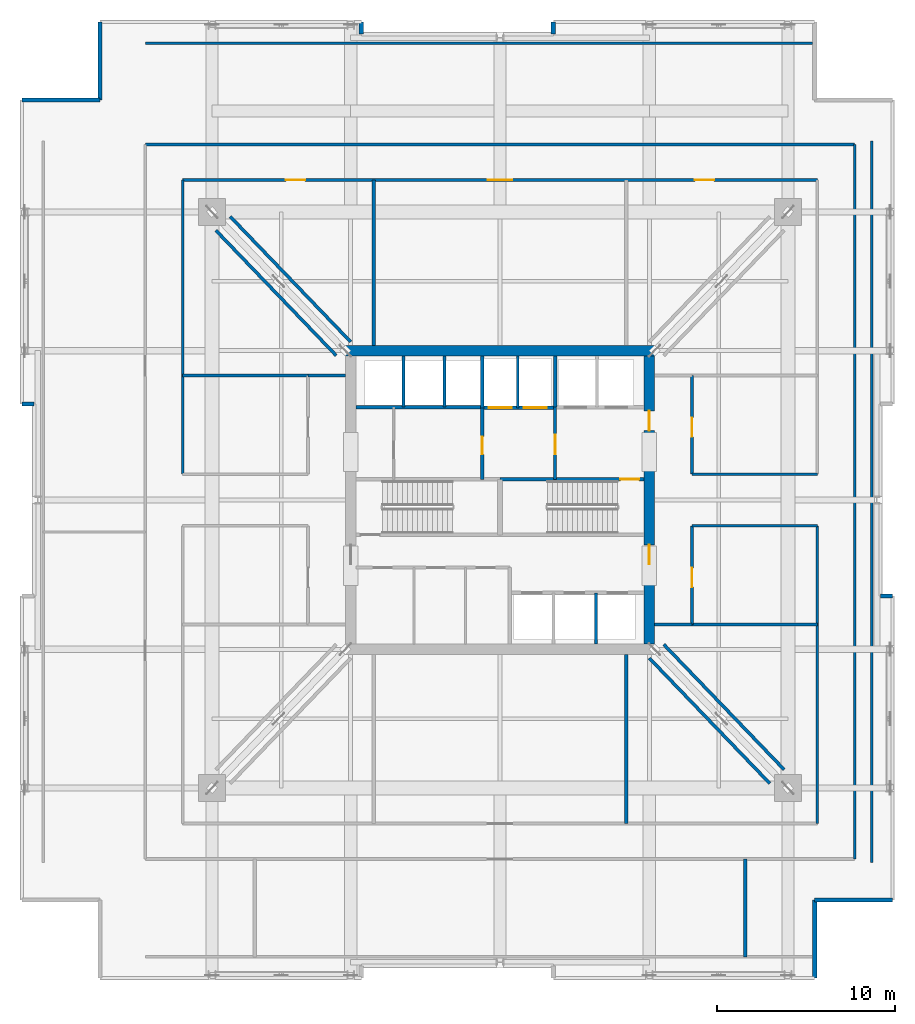
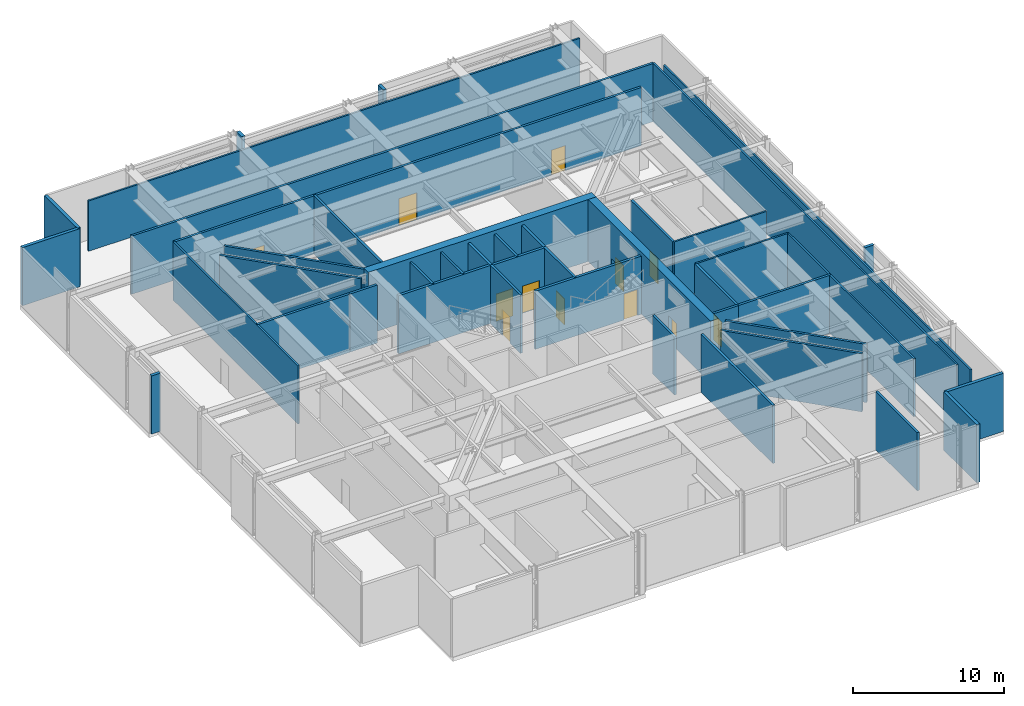
# One storey, part 8 of 13: 43 walls, 12 doors, 12 openings.
"""IFC4 building model written with IfcOpenShell, lengths in metres."""

from ifc_helpers import new_model, si_unit, direction, frame, frame_2d, origin, place, context, subcontext, project, spatial, rectangle, extrude, material, layer, layer_set, type_object, element, fill, save


model = new_model("IFC4")

# Units and contexts
model_context = context("Model", 3, precision=1e-05, world=origin(), true_north=direction((0.0, 1.0)))
body_context = subcontext(model_context, "Body", "Model", "MODEL_VIEW")
ifc_project = project(units=[si_unit("LENGTHUNIT", "METRE"), si_unit("AREAUNIT", "SQUARE_METRE"), si_unit("VOLUMEUNIT", "CUBIC_METRE"), si_unit("PLANEANGLEUNIT", "RADIAN"), si_unit("MASSUNIT", "GRAM", prefix="KILO")], contexts=[model_context])

# Site, building, storey
site_placement = place(None, origin())
site = spatial("IfcSite", under=ifc_project, at=site_placement, CompositionType="ELEMENT")
building_placement = place(site_placement, origin())
building = spatial("IfcBuilding", under=site, at=building_placement, Name="Drelvath Grand Hotel", CompositionType="ELEMENT")
storey_placement = place(building_placement, frame((0.0, 0.0, 140.800048828125)))
storey = spatial("IfcBuildingStorey", under=building, at=storey_placement, Name="L36", CompositionType="ELEMENT", Elevation=140.800048828125)

# Wall
ifc_material_1 = material(Name="Concrete C40/50", Category="concrete")
ifc_layer_1 = layer(ifc_material_1, 0.199951171875)
ifc_layer_set_1 = layer_set([ifc_layer_1], Name="Concrete C40/50")
wall_type_1 = type_object("IfcWallType", Name="Core Hoistway Fire Wall 200", PredefinedType="SOLIDWALL", material=ifc_layer_set_1)
wall_1_placement = place(storey_placement, frame((3.10009765625, 32.219970703125, 0.0), z_axis=(0.0, 0.0, 1.0), x_axis=(0.0, 1.0, 0.0)))
element("IfcWall", 1, at=wall_1_placement, inside=storey, type_object=wall_type_1, Name="L36 FSAE Hoistway West Wall", PredefinedType="SOLIDWALL", context=body_context, shape_type="SweptSolid", body=[
    extrude(rectangle(XDim=2.880126953125, YDim=0.199951171875, at=frame_2d((1.43994140625, 0.0))), origin(), (0.0, 0.0, 1.0), 4.699951171875),
])

# Wall, openings, doors
wall_2_placement = place(storey_placement, frame((-1.0, 32.179931640625, 0.0), z_axis=(0.0, 0.0, 1.0), x_axis=(1.0, 0.0, 0.0)))
wall_2 = element("IfcWall", 2, at=wall_2_placement, inside=storey, type_object=wall_type_1, Name="L36 Service Lift Hoistway Wall", PredefinedType="SOLIDWALL", context=body_context, shape_type="SweptSolid", body=[
    extrude(rectangle(XDim=4.10009765625, YDim=0.199951171875, at=frame_2d((2.050048828125, 0.0))), origin(), (0.0, 0.0, 1.0), 4.699951171875),
])
opening_1_placement = place(wall_2_placement, frame((0.3701171875, 0.0, 0.0)))
opening_1 = element("IfcOpeningElement", 3, at=opening_1_placement, cuts=wall_2, Name="Opening LD-SV-2", PredefinedType="OPENING", context=body_context, shape_type="SweptSolid", body=[
    extrude(rectangle(XDim=1.300048828125, YDim=2.199951171875, at=frame_2d((0.64990234375, 1.10009765625))), frame((0.0, 0.10986328125, 0.0), z_axis=(0.0, -1.0, 0.0), x_axis=(1.0, 0.0, 0.0)), (0.0, 0.0, 1.0), 0.219970703125),
])
opening_2_placement = place(wall_2_placement, frame((2.330078125, 0.0, 0.0)))
opening_2 = element("IfcOpeningElement", 4, at=opening_2_placement, cuts=wall_2, Name="Opening LD-SV-1", PredefinedType="OPENING", context=body_context, shape_type="SweptSolid", body=[
    extrude(rectangle(XDim=1.300048828125, YDim=2.199951171875, at=frame_2d((0.64990234375, 1.10009765625))), frame((0.0, 0.10986328125, 0.0), z_axis=(0.0, -1.0, 0.0), x_axis=(1.0, 0.0, 0.0)), (0.0, 0.0, 1.0), 0.219970703125),
])
ifc_material_2 = material(Name="Stainless Steel S355", Category="steel")
door_type_1 = type_object("IfcDoorType", Name="Service Lift Sliding Landing Door 1300x2200", OperationType="NOTDEFINED", PredefinedType="DOOR", material=ifc_material_2)
door_1_placement = place(opening_1_placement, origin())
door_1 = element("IfcDoor", 5, at=door_1_placement, inside=storey, type_object=door_type_1, Name="L36 Lift SV-2 Landing Door", OperationType="SLIDING_TO_LEFT", OverallHeight=2.199951171875, OverallWidth=1.300048828125, PredefinedType="DOOR", context=body_context, shape_type="SweptSolid", body=[
    extrude(rectangle(XDim=1.300048828125, YDim=2.199951171875, at=frame_2d((0.64990234375, 1.10009765625))), frame((0.0, 0.02490234375, 0.0), z_axis=(0.0, -1.0, 0.0), x_axis=(1.0, 0.0, 0.0)), (0.0, 0.0, 1.0), 0.050048828125),
])
fill(opening_1, door_1)
door_2_placement = place(opening_2_placement, origin())
door_2 = element("IfcDoor", 6, at=door_2_placement, inside=storey, type_object=door_type_1, Name="L36 Lift SV-1 Landing Door", OperationType="SLIDING_TO_LEFT", OverallHeight=2.199951171875, OverallWidth=1.300048828125, PredefinedType="DOOR", context=body_context, shape_type="SweptSolid", body=[
    extrude(rectangle(XDim=1.300048828125, YDim=2.199951171875, at=frame_2d((0.64990234375, 1.10009765625))), frame((0.0, 0.02490234375, 0.0), z_axis=(0.0, -1.0, 0.0), x_axis=(1.0, 0.0, 0.0)), (0.0, 0.0, 1.0), 0.050048828125),
])
fill(opening_2, door_2)

# Walls
wall_3_placement = place(storey_placement, frame((-1.0, 32.179931640625, 0.0), z_axis=(0.0, 0.0, 1.0), x_axis=(0.0, 1.0, 0.0)))
element("IfcWall", 7, at=wall_3_placement, inside=storey, type_object=wall_type_1, Name="L36 Service Lift West Wall", PredefinedType="SOLIDWALL", context=body_context, shape_type="SweptSolid", body=[
    extrude(rectangle(XDim=2.920166015625, YDim=0.199951171875, at=frame_2d((1.4599609375, 0.0))), origin(), (0.0, 0.0, 1.0), 4.699951171875),
])
wall_4_placement = place(storey_placement, frame((-8.10009765625, 32.219970703125, 0.0), z_axis=(0.0, 0.0, 1.0), x_axis=(1.0, 0.0, 0.0)))
element("IfcWall", 8, at=wall_4_placement, inside=storey, type_object=wall_type_1, Name="L36 Bank 3 Hoistway Wall", PredefinedType="SOLIDWALL", context=body_context, shape_type="SweptSolid", body=[
    extrude(rectangle(XDim=7.10009765625, YDim=0.199951171875, at=frame_2d((3.550048828125, 0.0))), origin(), (0.0, 0.0, 1.0), 4.699951171875),
])

# Wall, opening, door
ifc_layer_2 = layer(ifc_material_1, 0.199951171875)
ifc_layer_set_2 = layer_set([ifc_layer_2], Name="Concrete C40/50")
wall_type_2 = type_object("IfcWallType", Name="Core Shaft Fire Wall 200", PredefinedType="SOLIDWALL", material=ifc_layer_set_2)
wall_5_placement = place(storey_placement, frame((8.10009765625, 28.159912109375, 0.0), z_axis=(0.0, 0.0, 1.0), x_axis=(-1.0, 0.0, 0.0)))
wall_5 = element("IfcWall", 9, at=wall_5_placement, inside=storey, type_object=wall_type_2, Name="L36 Stair ST-2 North Wall", PredefinedType="SOLIDWALL", context=body_context, shape_type="SweptSolid", body=[
    extrude(rectangle(XDim=8.10009765625, YDim=0.199951171875, at=frame_2d((4.050048828125, 0.0))), origin(), (0.0, 0.0, 1.0), 4.699951171875),
])
opening_3_placement = place(wall_5_placement, frame((0.280029296875, 0.0, 0.0)))
opening_3 = element("IfcOpeningElement", 10, at=opening_3_placement, cuts=wall_5, Name="Opening D-L36-002", PredefinedType="OPENING", context=body_context, shape_type="SweptSolid", body=[
    extrude(rectangle(XDim=1.050048828125, YDim=2.10009765625, at=frame_2d((0.52490234375, 1.050048828125))), frame((0.0, 0.10986328125, 0.0), z_axis=(0.0, -1.0, 0.0), x_axis=(1.0, 0.0, 0.0)), (0.0, 0.0, 1.0), 0.219970703125),
])
ifc_material_3 = material(Name="Painted Steel S275", Category="steel")
door_type_2 = type_object("IfcDoorType", Name="Tower Stairwell Fire Door 1050x2100", OperationType="NOTDEFINED", PredefinedType="DOOR", material=ifc_material_3)
door_3_placement = place(opening_3_placement, origin())
door_3 = element("IfcDoor", 11, at=door_3_placement, inside=storey, type_object=door_type_2, Name="L36 Exit Stair ST-2 Door", OperationType="SINGLE_SWING_LEFT", OverallHeight=2.10009765625, OverallWidth=1.050048828125, PredefinedType="DOOR", context=body_context, shape_type="SweptSolid", body=[
    extrude(rectangle(XDim=1.050048828125, YDim=2.10009765625, at=frame_2d((0.52490234375, 1.050048828125))), frame((0.0, 0.02490234375, 0.0), z_axis=(0.0, -1.0, 0.0), x_axis=(1.0, 0.0, 0.0)), (0.0, 0.0, 1.0), 0.050048828125),
])
fill(opening_3, door_3)

# Walls
ifc_material_4 = material(Name="Gypsum Fireboard Partition")
ifc_layer_3 = layer(ifc_material_4, 0.1650390625)
ifc_layer_set_3 = layer_set([ifc_layer_3], Name="Gypsum Fireboard Partition")
wall_type_3 = type_object("IfcWallType", Name="Core Shaft Partition 165", PredefinedType="PARTITIONING", material=ifc_layer_set_3)
wall_6_placement = place(storey_placement, frame((1.0, 32.179931640625, 0.0), z_axis=(0.0, 0.0, 1.0), x_axis=(0.0, 1.0, 0.0)))
element("IfcWall", 12, at=wall_6_placement, inside=storey, type_object=wall_type_3, Name="L36 Service Lift Divider", PredefinedType="PARTITIONING", context=body_context, shape_type="SweptSolid", body=[
    extrude(rectangle(XDim=2.920166015625, YDim=0.1650390625, at=frame_2d((1.4599609375, 0.0))), origin(), (0.0, 0.0, 1.0), 4.699951171875),
])
for number, where, z_axis, x_axis, name in (
    (13, (-5.43994140625, 32.219970703125, 0.0), (0.0, 0.0, 1.0), (0.0, 1.0, 0.0), "L36 Lift PE-7/8 Divider"),
    (14, (-3.1201171875, 32.219970703125, 0.0), (0.0, 0.0, 1.0), (0.0, 1.0, 0.0), "L36 Lift PE-8/9 Divider"),
    (15, (5.39990234375, 18.89990234375, 0.0), (0.0, 0.0, 1.0), (0.0, 1.0, 0.0), "L36 Lift PE-5/6 Divider"),
):
    element("IfcWall", number, at=place(storey_placement, frame(where, z_axis=z_axis, x_axis=x_axis)), inside=storey, type_object=wall_type_3, Name=name, PredefinedType="PARTITIONING", context=body_context, shape_type="SweptSolid", body=[
        extrude(rectangle(XDim=2.880126953125, YDim=0.1650390625, at=frame_2d((1.43994140625, 0.0))), origin(), (0.0, 0.0, 1.0), 4.699951171875),
    ])
ifc_layer_4 = layer(ifc_material_4, 0.135009765625)
ifc_layer_set_4 = layer_set([ifc_layer_4], Name="Gypsum Fireboard Partition")
wall_type_4 = type_object("IfcWallType", Name="Corridor Fire Barrier Wall 135", PredefinedType="PARTITIONING", material=ifc_layer_set_4)
wall_7_placement = place(storey_placement, frame((20.89990234375, 6.60009765625, 0.0), z_axis=(0.0, 0.0, 1.0), x_axis=(0.0, 1.0, 0.0)))
element("IfcWall", 16, at=wall_7_placement, inside=storey, type_object=wall_type_4, Name="L36 East Belt Plenum Wall", PredefinedType="PARTITIONING", context=body_context, shape_type="SweptSolid", body=[
    extrude(rectangle(XDim=40.599853515625, YDim=0.135009765625, at=frame_2d((20.2998046875, 0.0))), origin(), (0.0, 0.0, 1.0), 4.07373046875),
])
wall_8_placement = place(storey_placement, frame((-19.949951171875, 52.699951171875, 0.0), z_axis=(0.0, 0.0, 1.0), x_axis=(1.0, 0.0, 0.0)))
element("IfcWall", 17, at=wall_8_placement, inside=storey, type_object=wall_type_4, Name="L36 North Belt Plenum Wall", PredefinedType="PARTITIONING", context=body_context, shape_type="SweptSolid", body=[
    extrude(rectangle(XDim=37.530029296875, YDim=0.135009765625, at=frame_2d((18.76513671875, 0.0))), origin(), (0.0, 0.0, 1.0), 4.07373046875),
])
for number, where, z_axis, x_axis, name in (
    (18, (10.800048828125, 25.550048828125, 0.0), (0.0, 0.0, 1.0), (1.0, 0.0, 0.0), "L36 East Cross-Arm South Wall"),
    (19, (10.800048828125, 28.449951171875, 0.0), (0.0, 0.0, 1.0), (1.0, 0.0, 0.0), "L36 East Cross-Arm North Wall"),
):
    element("IfcWall", number, at=place(storey_placement, frame(where, z_axis=z_axis, x_axis=x_axis)), inside=storey, type_object=wall_type_4, Name=name, PredefinedType="PARTITIONING", context=body_context, shape_type="SweptSolid", body=[
        extrude(rectangle(XDim=7.050048828125, YDim=0.135009765625, at=frame_2d((3.52490234375, 0.0))), origin(), (0.0, 0.0, 1.0), 4.699951171875),
    ])
wall_9_placement = place(storey_placement, frame((-17.85009765625, 28.449951171875, 0.0), z_axis=(0.0, 0.0, 1.0), x_axis=(0.0, 1.0, 0.0)))
element("IfcWall", 20, at=wall_9_placement, inside=storey, type_object=wall_type_4, Name="L36 West Outer Leg Inner N", PredefinedType="PARTITIONING", context=body_context, shape_type="SweptSolid", body=[
    extrude(rectangle(XDim=16.550048828125, YDim=0.135009765625, at=frame_2d((8.27490234375, 0.0))), origin(), (0.0, 0.0, 1.0), 4.699951171875),
])
wall_10_placement = place(storey_placement, frame((19.949951171875, 6.800048828125, 0.0), z_axis=(0.0, 0.0, 1.0), x_axis=(0.0, 1.0, 0.0)))
element("IfcWall", 21, at=wall_10_placement, inside=storey, type_object=wall_type_4, Name="L36 East Outer Leg Outer Wall", PredefinedType="PARTITIONING", context=body_context, shape_type="SweptSolid", body=[
    extrude(rectangle(XDim=40.199951171875, YDim=0.135009765625, at=frame_2d((20.10009765625, 0.0))), origin(), (0.0, 0.0, 1.0), 4.699951171875),
])
wall_11_placement = place(storey_placement, frame((17.85009765625, 8.800048828125, 0.0), z_axis=(0.0, 0.0, 1.0), x_axis=(0.0, 1.0, 0.0)))
element("IfcWall", 22, at=wall_11_placement, inside=storey, type_object=wall_type_4, Name="L36 East Outer Leg Inner S", PredefinedType="PARTITIONING", context=body_context, shape_type="SweptSolid", body=[
    extrude(rectangle(XDim=16.75, YDim=0.135009765625, at=frame_2d((8.375, 0.0))), origin(), (0.0, 0.0, 1.0), 4.699951171875),
])

# Wall, opening, door
ifc_layer_5 = layer(ifc_material_4, 0.179931640625)
ifc_layer_set_5 = layer_set([ifc_layer_5], Name="Gypsum Fireboard Partition")
wall_type_5 = type_object("IfcWallType", Name="FSAE Smoke Lobby Fire Wall 180", PredefinedType="SOLIDWALL", material=ifc_layer_set_5)
wall_12_placement = place(storey_placement, frame((3.10009765625, 28.159912109375, 0.0), z_axis=(0.0, 0.0, 1.0), x_axis=(0.0, 1.0, 0.0)))
wall_12 = element("IfcWall", 23, at=wall_12_placement, inside=storey, type_object=wall_type_5, Name="L36 FSAE Smoke Lobby West Wall", PredefinedType="SOLIDWALL", context=body_context, shape_type="SweptSolid", body=[
    extrude(rectangle(XDim=4.06005859375, YDim=0.179931640625, at=frame_2d((2.030029296875, 0.0))), origin(), (0.0, 0.0, 1.0), 4.699951171875),
])
opening_4_placement = place(wall_12_placement, frame((1.39990234375, 0.0, 0.0)))
opening_4 = element("IfcOpeningElement", 24, at=opening_4_placement, cuts=wall_12, Name="Opening D-L36-005", PredefinedType="OPENING", context=body_context, shape_type="SweptSolid", body=[
    extrude(rectangle(XDim=1.1201171875, YDim=2.10009765625, at=frame_2d((0.56005859375, 1.050048828125))), frame((0.0, 0.099853515625, 0.0), z_axis=(0.0, -1.0, 0.0), x_axis=(1.0, 0.0, 0.0)), (0.0, 0.0, 1.0), 0.199951171875),
])
door_type_3 = type_object("IfcDoorType", Name="FSAE Smoke Lobby Fire Door 1120x2100", OperationType="NOTDEFINED", PredefinedType="DOOR", material=ifc_material_3)
door_4_placement = place(opening_4_placement, origin())
door_4 = element("IfcDoor", 25, at=door_4_placement, inside=storey, type_object=door_type_3, Name="L36 FSAE Lobby Service Vestibule Door", OperationType="SINGLE_SWING_RIGHT", OverallHeight=2.10009765625, OverallWidth=1.1201171875, PredefinedType="DOOR", context=body_context, shape_type="SweptSolid", body=[
    extrude(rectangle(XDim=1.1201171875, YDim=2.10009765625, at=frame_2d((0.56005859375, 1.050048828125))), frame((0.0, 0.02490234375, 0.0), z_axis=(0.0, -1.0, 0.0), x_axis=(1.0, 0.0, 0.0)), (0.0, 0.0, 1.0), 0.050048828125),
])
fill(opening_4, door_4)

wall_13_placement = place(storey_placement, frame((-1.0, 28.159912109375, 0.0), z_axis=(0.0, 0.0, 1.0), x_axis=(0.0, 1.0, 0.0)))
wall_13 = element("IfcWall", 26, at=wall_13_placement, inside=storey, type_object=wall_type_5, Name="L36 Service Vestibule West Wall", PredefinedType="SOLIDWALL", context=body_context, shape_type="SweptSolid", body=[
    extrude(rectangle(XDim=4.02001953125, YDim=0.179931640625, at=frame_2d((2.010009765625, 0.0))), origin(), (0.0, 0.0, 1.0), 4.699951171875),
])
opening_5_placement = place(wall_13_placement, frame((1.39990234375, 0.0, 0.0)))
opening_5 = element("IfcOpeningElement", 27, at=opening_5_placement, cuts=wall_13, Name="Opening D-L36-009", PredefinedType="OPENING", context=body_context, shape_type="SweptSolid", body=[
    extrude(rectangle(XDim=1.0, YDim=2.10009765625, at=frame_2d((0.5, 1.050048828125))), frame((0.0, 0.099853515625, 0.0), z_axis=(0.0, -1.0, 0.0), x_axis=(1.0, 0.0, 0.0)), (0.0, 0.0, 1.0), 0.199951171875),
])
door_type_4 = type_object("IfcDoorType", Name="Core Service Fire Door 1000x2100", OperationType="NOTDEFINED", PredefinedType="DOOR", material=ifc_material_3)
door_5_placement = place(opening_5_placement, origin())
door_5 = element("IfcDoor", 28, at=door_5_placement, inside=storey, type_object=door_type_4, Name="L36 Service Vestibule West Door", OperationType="SINGLE_SWING_LEFT", OverallHeight=2.10009765625, OverallWidth=1.0, PredefinedType="DOOR", context=body_context, shape_type="SweptSolid", body=[
    extrude(rectangle(XDim=1.0, YDim=2.10009765625, at=frame_2d((0.5, 1.050048828125))), frame((0.0, 0.02490234375, 0.0), z_axis=(0.0, -1.0, 0.0), x_axis=(1.0, 0.0, 0.0)), (0.0, 0.0, 1.0), 0.050048828125),
])
fill(opening_5, door_5)

# Walls
for number, where, z_axis, x_axis, name in (
    (29, (8.400390625, 18.103759765625, 0.0), (0.0, 0.0, 1.0), (0.693103223405, -0.720838346445, 0.0), "L36 Truss SE Fire Bulkhead A"),
    (30, (9.20751953125, 18.8798828125, 0.0), (0.0, 0.0, 1.0), (0.693128689913, -0.720813858926, 0.0), "L36 Truss SE Fire Bulkhead B"),
    (31, (-8.400390625, 35.896240234375, 0.0), (0.0, 0.0, 1.0), (-0.693103223405, 0.720838346445, 0.0), "L36 Truss NW Fire Bulkhead A"),
    (32, (-9.20751953125, 35.1201171875, 0.0), (0.0, 0.0, 1.0), (-0.693128689913, 0.720813858926, 0.0), "L36 Truss NW Fire Bulkhead B"),
):
    element("IfcWall", number, at=place(storey_placement, frame(where, z_axis=z_axis, x_axis=x_axis)), inside=storey, type_object=wall_type_5, Name=name, PredefinedType="SOLIDWALL", context=body_context, shape_type="SweptSolid", body=[
        extrude(rectangle(XDim=9.770751953125, YDim=0.179931640625, at=frame_2d((4.88525390625, 0.0))), origin(), (0.0, 0.0, 1.0), 4.699951171875),
    ])
wall_14_placement = place(storey_placement, frame((-10.800048828125, 34.0, 0.0), z_axis=(0.0, 0.0, 1.0), x_axis=(1.0, 0.0, 0.0)))
element("IfcWall", 33, at=wall_14_placement, inside=storey, type_object=wall_type_5, Name="L36 Plant West Foyer North End", PredefinedType="SOLIDWALL", context=body_context, shape_type="SweptSolid", body=[
    extrude(rectangle(XDim=2.10009765625, YDim=0.179931640625, at=frame_2d((1.050048828125, 0.0))), origin(), (0.0, 0.0, 1.0), 4.699951171875),
])

# Wall, opening, door
wall_15_placement = place(storey_placement, frame((10.800048828125, 20.0, 0.0), z_axis=(0.0, 0.0, 1.0), x_axis=(0.0, 1.0, 0.0)))
wall_15 = element("IfcWall", 34, at=wall_15_placement, inside=storey, type_object=wall_type_5, Name="L36 Plant East Foyer Lower Wall", PredefinedType="SOLIDWALL", context=body_context, shape_type="SweptSolid", body=[
    extrude(rectangle(XDim=5.550048828125, YDim=0.179931640625, at=frame_2d((2.77490234375, 0.0))), origin(), (0.0, 0.0, 1.0), 4.699951171875),
])
opening_6_placement = place(wall_15_placement, frame((2.10009765625, 0.0, 0.0)))
opening_6 = element("IfcOpeningElement", 35, at=opening_6_placement, cuts=wall_15, Name="Opening D-L36-024", PredefinedType="OPENING", context=body_context, shape_type="SweptSolid", body=[
    extrude(rectangle(XDim=1.080078125, YDim=2.0400390625, at=frame_2d((0.5400390625, 1.02001953125))), frame((0.0, 0.099853515625, 0.0), z_axis=(0.0, -1.0, 0.0), x_axis=(1.0, 0.0, 0.0)), (0.0, 0.0, 1.0), 0.199951171875),
])
door_type_5 = type_object("IfcDoorType", Name="Core Corridor Fire Door 1080x2100", OperationType="NOTDEFINED", PredefinedType="DOOR", material=ifc_material_3)
door_6_placement = place(opening_6_placement, origin())
door_6 = element("IfcDoor", 36, at=door_6_placement, inside=storey, type_object=door_type_5, Name="L36 Booster Pump Plant Door", OperationType="SINGLE_SWING_LEFT", OverallHeight=2.0400390625, OverallWidth=1.080078125, PredefinedType="DOOR", context=body_context, shape_type="SweptSolid", body=[
    extrude(rectangle(XDim=1.080078125, YDim=2.0400390625, at=frame_2d((0.5400390625, 1.02001953125))), frame((0.0, 0.02490234375, 0.0), z_axis=(0.0, -1.0, 0.0), x_axis=(1.0, 0.0, 0.0)), (0.0, 0.0, 1.0), 0.050048828125),
])
fill(opening_6, door_6)

wall_16_placement = place(storey_placement, frame((10.800048828125, 28.449951171875, 0.0), z_axis=(0.0, 0.0, 1.0), x_axis=(0.0, 1.0, 0.0)))
wall_16 = element("IfcWall", 37, at=wall_16_placement, inside=storey, type_object=wall_type_5, Name="L36 Plant East Foyer Upper Wall", PredefinedType="SOLIDWALL", context=body_context, shape_type="SweptSolid", body=[
    extrude(rectangle(XDim=5.550048828125, YDim=0.179931640625, at=frame_2d((2.77490234375, 0.0))), origin(), (0.0, 0.0, 1.0), 4.699951171875),
])
opening_7_placement = place(wall_16_placement, frame((2.10009765625, 0.0, 0.0)))
opening_7 = element("IfcOpeningElement", 38, at=opening_7_placement, cuts=wall_16, Name="Opening D-L36-025", PredefinedType="OPENING", context=body_context, shape_type="SweptSolid", body=[
    extrude(rectangle(XDim=1.080078125, YDim=2.0400390625, at=frame_2d((0.5400390625, 1.02001953125))), frame((0.0, 0.099853515625, 0.0), z_axis=(0.0, -1.0, 0.0), x_axis=(1.0, 0.0, 0.0)), (0.0, 0.0, 1.0), 0.199951171875),
])
door_7_placement = place(opening_7_placement, origin())
door_7 = element("IfcDoor", 39, at=door_7_placement, inside=storey, type_object=door_type_5, Name="L36 Standpipe Pump Plant Door", OperationType="SINGLE_SWING_RIGHT", OverallHeight=2.0400390625, OverallWidth=1.080078125, PredefinedType="DOOR", context=body_context, shape_type="SweptSolid", body=[
    extrude(rectangle(XDim=1.080078125, YDim=2.0400390625, at=frame_2d((0.5400390625, 1.02001953125))), frame((0.0, 0.02490234375, 0.0), z_axis=(0.0, -1.0, 0.0), x_axis=(1.0, 0.0, 0.0)), (0.0, 0.0, 1.0), 0.050048828125),
])
fill(opening_7, door_7)

# Wall
wall_17_placement = place(storey_placement, frame((8.699951171875, 20.0, 0.0), z_axis=(0.0, 0.0, 1.0), x_axis=(1.0, 0.0, 0.0)))
element("IfcWall", 40, at=wall_17_placement, inside=storey, type_object=wall_type_5, Name="L36 Plant East Foyer South End", PredefinedType="SOLIDWALL", context=body_context, shape_type="SweptSolid", body=[
    extrude(rectangle(XDim=2.10009765625, YDim=0.179931640625, at=frame_2d((1.050048828125, 0.0))), origin(), (0.0, 0.0, 1.0), 4.699951171875),
])

# Wall, openings, doors
wall_18_placement = place(storey_placement, frame((-17.85009765625, 45.0, 0.0), z_axis=(0.0, 0.0, 1.0), x_axis=(1.0, 0.0, 0.0)))
wall_18 = element("IfcWall", 41, at=wall_18_placement, inside=storey, type_object=wall_type_5, Name="L36 North Connector Inner Wall", PredefinedType="SOLIDWALL", context=body_context, shape_type="SweptSolid", body=[
    extrude(rectangle(XDim=35.7001953125, YDim=0.179931640625, at=frame_2d((17.85009765625, 0.0))), origin(), (0.0, 0.0, 1.0), 4.699951171875),
])
opening_8_placement = place(wall_18_placement, frame((17.169921875, 0.0, 0.0)))
opening_8 = element("IfcOpeningElement", 42, at=opening_8_placement, cuts=wall_18, Name="Opening D-L36-021", PredefinedType="OPENING", context=body_context, shape_type="SweptSolid", body=[
    extrude(rectangle(XDim=1.360107421875, YDim=2.199951171875, at=frame_2d((0.68017578125, 1.10009765625))), frame((0.0, 0.099853515625, 0.0), z_axis=(0.0, -1.0, 0.0), x_axis=(1.0, 0.0, 0.0)), (0.0, 0.0, 1.0), 0.199951171875),
])
opening_9_placement = place(wall_18_placement, frame((5.81005859375, 0.0, 0.0)))
opening_9 = element("IfcOpeningElement", 43, at=opening_9_placement, cuts=wall_18, Name="Opening D-L36-028", PredefinedType="OPENING", context=body_context, shape_type="SweptSolid", body=[
    extrude(rectangle(XDim=1.080078125, YDim=2.0400390625, at=frame_2d((0.5400390625, 1.02001953125))), frame((0.0, 0.099853515625, 0.0), z_axis=(0.0, -1.0, 0.0), x_axis=(1.0, 0.0, 0.0)), (0.0, 0.0, 1.0), 0.199951171875),
])
opening_10_placement = place(wall_18_placement, frame((28.81005859375, 0.0, 0.0)))
opening_10 = element("IfcOpeningElement", 44, at=opening_10_placement, cuts=wall_18, Name="Opening D-L36-029", PredefinedType="OPENING", context=body_context, shape_type="SweptSolid", body=[
    extrude(rectangle(XDim=1.080078125, YDim=2.0400390625, at=frame_2d((0.5400390625, 1.02001953125))), frame((0.0, 0.099853515625, 0.0), z_axis=(0.0, -1.0, 0.0), x_axis=(1.0, 0.0, 0.0)), (0.0, 0.0, 1.0), 0.199951171875),
])
door_8_placement = place(opening_9_placement, origin())
door_8 = element("IfcDoor", 45, at=door_8_placement, inside=storey, type_object=door_type_5, Name="L36 UPS Plant Door", OperationType="SINGLE_SWING_LEFT", OverallHeight=2.0400390625, OverallWidth=1.080078125, PredefinedType="DOOR", context=body_context, shape_type="SweptSolid", body=[
    extrude(rectangle(XDim=1.080078125, YDim=2.0400390625, at=frame_2d((0.5400390625, 1.02001953125))), frame((0.0, 0.02490234375, 0.0), z_axis=(0.0, -1.0, 0.0), x_axis=(1.0, 0.0, 0.0)), (0.0, 0.0, 1.0), 0.050048828125),
])
fill(opening_9, door_8)
door_9_placement = place(opening_10_placement, origin())
door_9 = element("IfcDoor", 46, at=door_9_placement, inside=storey, type_object=door_type_5, Name="L36 Substation Plant Door", OperationType="SINGLE_SWING_RIGHT", OverallHeight=2.0400390625, OverallWidth=1.080078125, PredefinedType="DOOR", context=body_context, shape_type="SweptSolid", body=[
    extrude(rectangle(XDim=1.080078125, YDim=2.0400390625, at=frame_2d((0.5400390625, 1.02001953125))), frame((0.0, 0.02490234375, 0.0), z_axis=(0.0, -1.0, 0.0), x_axis=(1.0, 0.0, 0.0)), (0.0, 0.0, 1.0), 0.050048828125),
])
fill(opening_10, door_9)
door_type_6 = type_object("IfcDoorType", Name="Plant Equipment Double Fire Door 1360x2200", OperationType="NOTDEFINED", PredefinedType="DOOR", material=ifc_material_3)
door_10_placement = place(opening_8_placement, origin())
door_10 = element("IfcDoor", 47, at=door_10_placement, inside=storey, type_object=door_type_6, Name="L36 North Refuge Area Door", OperationType="SINGLE_SWING_RIGHT", OverallHeight=2.199951171875, OverallWidth=1.360107421875, PredefinedType="DOOR", context=body_context, shape_type="SweptSolid", body=[
    extrude(rectangle(XDim=1.360107421875, YDim=2.199951171875, at=frame_2d((0.68017578125, 1.10009765625))), frame((0.0, 0.02490234375, 0.0), z_axis=(0.0, -1.0, 0.0), x_axis=(1.0, 0.0, 0.0)), (0.0, 0.0, 1.0), 0.050048828125),
])
fill(opening_8, door_10)

# Walls
wall_19_placement = place(storey_placement, frame((-19.949951171875, 47.0, 0.0), z_axis=(0.0, 0.0, 1.0), x_axis=(1.0, 0.0, 0.0)))
element("IfcWall", 48, at=wall_19_placement, inside=storey, type_object=wall_type_5, Name="L36 North Connector Outer Wall", PredefinedType="SOLIDWALL", context=body_context, shape_type="SweptSolid", body=[
    extrude(rectangle(XDim=39.89990234375, YDim=0.179931640625, at=frame_2d((19.949951171875, 0.0))), origin(), (0.0, 0.0, 1.0), 4.699951171875),
])
wall_20_placement = place(storey_placement, frame((7.10009765625, 8.800048828125, 0.0), z_axis=(0.0, 0.0, 1.0), x_axis=(0.0, 1.0, 0.0)))
element("IfcWall", 49, at=wall_20_placement, inside=storey, type_object=wall_type_5, Name="L36 South Refuge Inner East Wall", PredefinedType="SOLIDWALL", context=body_context, shape_type="SweptSolid", body=[
    extrude(rectangle(XDim=9.5, YDim=0.179931640625, at=frame_2d((4.75, 0.0))), origin(), (0.0, 0.0, 1.0), 4.699951171875),
])
wall_21_placement = place(storey_placement, frame((13.800048828125, 1.300048828125, 0.0), z_axis=(0.0, 0.0, 1.0), x_axis=(0.0, 1.0, 0.0)))
element("IfcWall", 50, at=wall_21_placement, inside=storey, type_object=wall_type_5, Name="L36 South Apron Refuge East Wall", PredefinedType="SOLIDWALL", context=body_context, shape_type="SweptSolid", body=[
    extrude(rectangle(XDim=5.5, YDim=0.179931640625, at=frame_2d((2.75, 0.0))), origin(), (0.0, 0.0, 1.0), 4.699951171875),
])
wall_22_placement = place(storey_placement, frame((-7.10009765625, 35.699951171875, 0.0), z_axis=(0.0, 0.0, 1.0), x_axis=(0.0, 1.0, 0.0)))
element("IfcWall", 51, at=wall_22_placement, inside=storey, type_object=wall_type_5, Name="L36 North Refuge Inner West Wall", PredefinedType="SOLIDWALL", context=body_context, shape_type="SweptSolid", body=[
    extrude(rectangle(XDim=9.300048828125, YDim=0.179931640625, at=frame_2d((4.64990234375, 0.0))), origin(), (0.0, 0.0, 1.0), 4.699951171875),
])
for number, where, z_axis, x_axis, name in (
    (52, (-17.85009765625, 34.0, 0.0), (0.0, 0.0, 1.0), (1.0, 0.0, 0.0), "L36 West Inner Plant North Wall"),
    (53, (10.800048828125, 20.0, 0.0), (0.0, 0.0, 1.0), (1.0, 0.0, 0.0), "L36 East Inner Plant South Wall"),
):
    element("IfcWall", number, at=place(storey_placement, frame(where, z_axis=z_axis, x_axis=x_axis)), inside=storey, type_object=wall_type_5, Name=name, PredefinedType="SOLIDWALL", context=body_context, shape_type="SweptSolid", body=[
        extrude(rectangle(XDim=7.050048828125, YDim=0.179931640625, at=frame_2d((3.52490234375, 0.0))), origin(), (0.0, 0.0, 1.0), 4.699951171875),
    ])
ifc_material_5 = material(Name="Concrete f'c 70 MPa", Category="concrete")
ifc_layer_6 = layer(ifc_material_5, 0.60009765625)
ifc_layer_set_6 = layer_set([ifc_layer_6], Name="Concrete f'c 70 MPa")
wall_type_6 = type_object("IfcWallType", Name="Lower Core RC Shear Wall 600", PredefinedType="SHEAR", material=ifc_layer_set_6)
wall_23_placement = place(storey_placement, frame((-8.699951171875, 35.39990234375, 0.0), z_axis=(0.0, 0.0, 1.0), x_axis=(1.0, 0.0, 0.0)))
element("IfcWall", 54, at=wall_23_placement, inside=storey, type_object=wall_type_6, Name="L36 Central Core Shear Wall N", PredefinedType="SHEAR", context=body_context, shape_type="SweptSolid", body=[
    extrude(rectangle(XDim=17.39990234375, YDim=0.60009765625, at=frame_2d((8.699951171875, 0.0))), origin(), (0.0, 0.0, 1.0), 5.0),
])

# Wall, openings, doors
wall_24_placement = place(storey_placement, frame((8.39990234375, 35.10009765625, 0.0), z_axis=(0.0, 0.0, 1.0), x_axis=(0.0, -1.0, 0.0)))
wall_24 = element("IfcWall", 55, at=wall_24_placement, inside=storey, type_object=wall_type_6, Name="L36 Central Core Shear Wall E", PredefinedType="SHEAR", context=body_context, shape_type="SweptSolid", body=[
    extrude(rectangle(XDim=16.2001953125, YDim=0.60009765625, at=frame_2d((8.10009765625, 0.0))), origin(), (0.0, 0.0, 1.0), 5.0),
])
opening_11_placement = place(wall_24_placement, frame((3.080078125, 0.0, 0.0)))
opening_11 = element("IfcOpeningElement", 56, at=opening_11_placement, cuts=wall_24, Name="Opening D-L36-006", PredefinedType="OPENING", context=body_context, shape_type="SweptSolid", body=[
    extrude(rectangle(XDim=1.1201171875, YDim=2.10009765625, at=frame_2d((0.56005859375, 1.050048828125))), frame((0.0, 0.31005859375, 0.0), z_axis=(0.0, -1.0, 0.0), x_axis=(1.0, 0.0, 0.0)), (0.0, 0.0, 1.0), 0.6201171875),
])
opening_12_placement = place(wall_24_placement, frame((10.6201171875, 0.0, 0.0)))
opening_12 = element("IfcOpeningElement", 57, at=opening_12_placement, cuts=wall_24, Name="Opening D-L36-015", PredefinedType="OPENING", context=body_context, shape_type="SweptSolid", body=[
    extrude(rectangle(XDim=1.080078125, YDim=2.0400390625, at=frame_2d((0.5400390625, 1.02001953125))), frame((0.0, 0.31005859375, 0.0), z_axis=(0.0, -1.0, 0.0), x_axis=(1.0, 0.0, 0.0)), (0.0, 0.0, 1.0), 0.6201171875),
])
door_11_placement = place(opening_12_placement, origin())
door_11 = element("IfcDoor", 58, at=door_11_placement, inside=storey, type_object=door_type_5, Name="L36 Mid-Rise Lobby East Door", OperationType="SINGLE_SWING_RIGHT", OverallHeight=2.0400390625, OverallWidth=1.080078125, PredefinedType="DOOR", context=body_context, shape_type="SweptSolid", body=[
    extrude(rectangle(XDim=1.080078125, YDim=2.0400390625, at=frame_2d((0.5400390625, 1.02001953125))), frame((0.0, 0.02490234375, 0.0), z_axis=(0.0, -1.0, 0.0), x_axis=(1.0, 0.0, 0.0)), (0.0, 0.0, 1.0), 0.050048828125),
])
fill(opening_12, door_11)
door_12_placement = place(opening_11_placement, origin())
door_12 = element("IfcDoor", 59, at=door_12_placement, inside=storey, type_object=door_type_3, Name="L36 FSAE Lobby East Corridor Door", OperationType="SINGLE_SWING_LEFT", OverallHeight=2.10009765625, OverallWidth=1.1201171875, PredefinedType="DOOR", context=body_context, shape_type="SweptSolid", body=[
    extrude(rectangle(XDim=1.1201171875, YDim=2.10009765625, at=frame_2d((0.56005859375, 1.050048828125))), frame((0.0, 0.02490234375, 0.0), z_axis=(0.0, -1.0, 0.0), x_axis=(1.0, 0.0, 0.0)), (0.0, 0.0, 1.0), 0.050048828125),
])
fill(opening_11, door_12)

# Walls
ifc_material_6 = material(Name="Pale-Metal Insulated Aluminium Spandrel Assembly", Category="aluminium")
ifc_layer_7 = layer(ifc_material_6, 0.239990234375)
ifc_layer_set_7 = layer_set([ifc_layer_7], Name="Pale-Metal Insulated Aluminium Spandrel Assembly")
wall_type_7 = type_object("IfcWallType", Name="Tower Insulated Metal Spandrel Closure Wall 240", PredefinedType="STANDARD", material=ifc_layer_set_7)
for number, where, z_axis, x_axis, name in (
    (60, (-26.8798828125, 49.5, 0.0), (0.0, 0.0, 1.0), (1.0, 0.0, 0.0), "L36 Notched Corner Return Spandrel Wall CNW1"),
    (61, (-22.5, 49.5, 0.0), (0.0, 0.0, 1.0), (0.0, 1.0, 0.0), "L36 Notched Corner Return Spandrel Wall CNW2"),
):
    element("IfcWall", number, at=place(storey_placement, frame(where, z_axis=z_axis, x_axis=x_axis)), inside=storey, type_object=wall_type_7, Name=name, PredefinedType="STANDARD", context=body_context, shape_type="SweptSolid", body=[
        extrude(rectangle(XDim=4.3798828125, YDim=0.239990234375, at=frame_2d((2.18994140625, 0.0))), origin(), (0.0, 0.0, 1.0), 4.699951171875),
    ])
wall_25_placement = place(storey_placement, frame((22.080078125, 4.5, 0.0), z_axis=(0.0, 0.0, 1.0), x_axis=(-1.0, 0.0, 0.0)))
element("IfcWall", 62, at=wall_25_placement, inside=storey, type_object=wall_type_7, Name="L36 Notched Corner Return Spandrel Wall CSE1", PredefinedType="STANDARD", context=body_context, shape_type="SweptSolid", body=[
    extrude(rectangle(XDim=4.380126953125, YDim=0.239990234375, at=frame_2d((2.18994140625, 0.0))), origin(), (0.0, 0.0, 1.0), 4.699951171875),
])
wall_26_placement = place(storey_placement, frame((17.699951171875, 4.5, 0.0), z_axis=(0.0, 0.0, 1.0), x_axis=(0.0, -1.0, 0.0)))
element("IfcWall", 63, at=wall_26_placement, inside=storey, type_object=wall_type_7, Name="L36 Notched Corner Return Spandrel Wall CSE2", PredefinedType="STANDARD", context=body_context, shape_type="SweptSolid", body=[
    extrude(rectangle(XDim=4.3798828125, YDim=0.239990234375, at=frame_2d((2.18994140625, 0.0))), origin(), (0.0, 0.0, 1.0), 4.699951171875),
])
wall_27_placement = place(storey_placement, frame((-26.199951171875, 32.39990234375, 0.0), z_axis=(0.0, 0.0, 1.0), x_axis=(-1.0, 0.0, 0.0)))
element("IfcWall", 64, at=wall_27_placement, inside=storey, type_object=wall_type_7, Name="L36 Notched Corner Return Spandrel Wall RW2", PredefinedType="STANDARD", context=body_context, shape_type="SweptSolid", body=[
    extrude(rectangle(XDim=0.679931640625, YDim=0.239990234375, at=frame_2d((0.33984375, 0.0))), origin(), (0.0, 0.0, 1.0), 4.699951171875),
])
wall_28_placement = place(storey_placement, frame((21.39990234375, 21.60009765625, 0.0), z_axis=(0.0, 0.0, 1.0), x_axis=(1.0, 0.0, 0.0)))
element("IfcWall", 65, at=wall_28_placement, inside=storey, type_object=wall_type_7, Name="L36 Notched Corner Return Spandrel Wall RE2", PredefinedType="STANDARD", context=body_context, shape_type="SweptSolid", body=[
    extrude(rectangle(XDim=0.68017578125, YDim=0.239990234375, at=frame_2d((0.340087890625, 0.0))), origin(), (0.0, 0.0, 1.0), 4.699951171875),
])
for number, where, z_axis, x_axis, name in (
    (66, (-7.800048828125, 53.8798828125, 0.0), (0.0, 0.0, 1.0), (0.0, -1.0, 0.0), "L36 Notched Corner Return Spandrel Wall RN1"),
    (67, (3.0, 53.199951171875, 0.0), (0.0, 0.0, 1.0), (0.0, 1.0, 0.0), "L36 Notched Corner Return Spandrel Wall RN2"),
):
    element("IfcWall", number, at=place(storey_placement, frame(where, z_axis=z_axis, x_axis=x_axis)), inside=storey, type_object=wall_type_7, Name=name, PredefinedType="STANDARD", context=body_context, shape_type="SweptSolid", body=[
        extrude(rectangle(XDim=0.679931640625, YDim=0.239990234375, at=frame_2d((0.33984375, 0.0))), origin(), (0.0, 0.0, 1.0), 4.699951171875),
    ])

save(model, "model.ifc")
